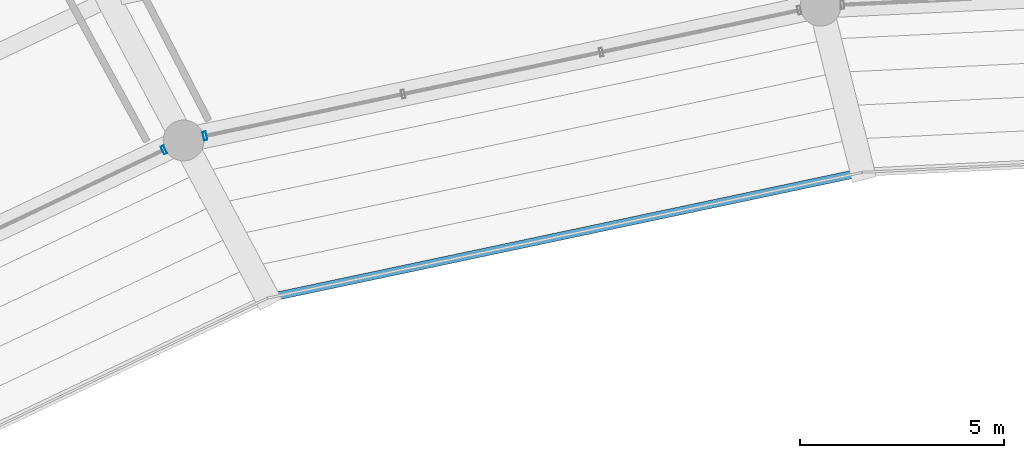
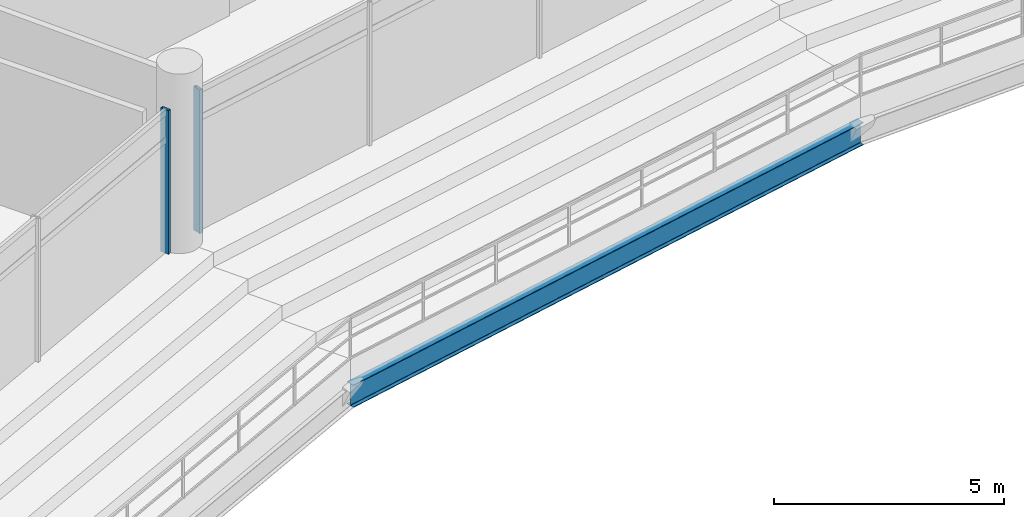
# One storey, part 89 of 171: 2 members, 1 beam, 2 elements without a shape of their own.
"""IFC4 building model written with IfcOpenShell, lengths in metres."""

from ifc_helpers import new_model, si_unit, direction, frame, origin, origin_2d, place, context, subcontext, project, spatial, hollow_rectangle, i_section, extrude, material, layer, layer_set, material_profile, profile_set, type_object, element, aggregate, save


model = new_model("IFC4")

# Units and contexts
model_context = context("Model", 3, precision=1e-05, world=origin(), true_north=direction((0.0, 1.0)))
body_context = subcontext(model_context, "Body", "Model", "MODEL_VIEW")
ifc_project = project(units=[si_unit("LENGTHUNIT", "METRE"), si_unit("AREAUNIT", "SQUARE_METRE"), si_unit("VOLUMEUNIT", "CUBIC_METRE"), si_unit("PLANEANGLEUNIT", "RADIAN"), si_unit("MASSUNIT", "GRAM", prefix="KILO")], contexts=[model_context])

# Site, building, storey
site_placement = place(None, origin())
site = spatial("IfcSite", under=ifc_project, at=site_placement, CompositionType="ELEMENT")
building_placement = place(site_placement, origin())
building = spatial("IfcBuilding", under=site, at=building_placement, Name="Kazemori Nagisa Stadium", CompositionType="ELEMENT")
storey_placement = place(building_placement, frame((0.0, 0.0, 15.639892578125)))
storey = spatial("IfcBuildingStorey", under=building, at=storey_placement, Name="L03", CompositionType="ELEMENT", Elevation=15.639892578125)

# Beam
ifc_material_1 = material(Name="Steel SN490B", Category="steel")
ifc_material_profile_1 = material_profile(ifc_material_1, i_section(OverallWidth=0.199951171875, OverallDepth=0.60009765625, WebThickness=0.010986328125, FlangeThickness=0.01708984375, FilletRadius=0.012939453125, at=origin_2d()), Name="H-600x200x11x17")
ifc_profile_set_1 = profile_set([ifc_material_profile_1], Name="Steel SN490B")
beam_type = type_object("IfcBeamType", Name="Beam_BS-H600", PredefinedType="SPANDREL", material=ifc_profile_set_1)
beam_placement = place(storey_placement, frame((108.38623046875, 159.9609375, -2.46484375), z_axis=(-0.978347151304, -0.206970653802, 0.0), x_axis=(0.206970653802, -0.978347151304, 0.0)))
element("IfcBeam", 1, at=beam_placement, inside=storey, type_object=beam_type, Name="Club tier front edge beam 09", PredefinedType="SPANDREL", context=body_context, shape_type="SweptSolid", body=[
    extrude(i_section(OverallWidth=0.199951171875, OverallDepth=0.60009765625, WebThickness=0.010986328125, FlangeThickness=0.01708984375, FilletRadius=0.012939453125, at=origin_2d()), origin(), (0.0, 0.0, 1.0), 14.90185546875),
])

# Curtain wall, member
ifc_material_2 = material(Name="Anodised aluminium 6063-T5", Category="aluminium")
ifc_layer = layer(ifc_material_2, 0.2099609375, Name="Anodised aluminium 6063-T5", Category="aluminium")
ifc_layer_set = layer_set([ifc_layer], Name="Anodised aluminium 6063-T5")
curtain_wall_type = type_object("IfcCurtainWallType", Name="CW_L03B_75", PredefinedType="USERDEFINED", material=ifc_layer_set)
curtain_wall_1_placement = place(storey_placement, origin())
curtain_wall_1 = element("IfcCurtainWall", 2, at=curtain_wall_1_placement, inside=storey, type_object=curtain_wall_type, Name="Unitised curtain wall CW-L03B-75 L03", ObjectType="UNITISED CURTAIN WALL", PredefinedType="USERDEFINED")
ifc_material_3 = material(Name="Aluminium 6063-T5 anodised", Category="aluminium")
ifc_material_profile_2 = material_profile(ifc_material_3, hollow_rectangle(XDim=0.080078125, YDim=0.2099609375, WallThickness=0.0048828125, at=origin_2d()), Name="ALU-MULL-80x210x5")
ifc_profile_set_2 = profile_set([ifc_material_profile_2], Name="Aluminium 6063-T5 anodised")
member_type = type_object("IfcMemberType", Name="Mullion_M02", PredefinedType="MULLION", material=ifc_profile_set_2)
member_1_placement = place(storey_placement, frame((92.27587890625, 160.849609375, 0.0), z_axis=(0.0, 0.0, 1.0), x_axis=(-0.978344955407, -0.206981033502, 0.0)))
member_1 = element("IfcMember", 3, at=member_1_placement, type_object=member_type, Name="Curtain wall mullion CW-L03B-75-M4", PredefinedType="MULLION", context=body_context, shape_type="SweptSolid", body=[
    extrude(hollow_rectangle(XDim=0.080078125, YDim=0.2099609375, WallThickness=0.0048828125, at=origin_2d()), origin(), (0.0, 0.0, 1.0), 3.81005859375),
])
aggregate(curtain_wall_1, [member_1])

curtain_wall_2_placement = place(storey_placement, origin())
curtain_wall_2 = element("IfcCurtainWall", 4, at=curtain_wall_2_placement, inside=storey, type_object=curtain_wall_type, Name="Unitised curtain wall CW-L03B-75 L03", ObjectType="UNITISED CURTAIN WALL", PredefinedType="USERDEFINED")
member_2_placement = place(storey_placement, frame((91.269287109375, 160.50927734375, 0.0), z_axis=(0.0, 0.0, 1.0), x_axis=(-0.903215892654, -0.429186499388, 0.0)))
member_2 = element("IfcMember", 5, at=member_2_placement, type_object=member_type, Name="Curtain wall mullion CW-L03B-75-M1", PredefinedType="MULLION", context=body_context, shape_type="SweptSolid", body=[
    extrude(hollow_rectangle(XDim=0.080078125, YDim=0.2099609375, WallThickness=0.0048828125, at=origin_2d()), origin(), (0.0, 0.0, 1.0), 3.81005859375),
])
aggregate(curtain_wall_2, [member_2])

save(model, "model.ifc")
